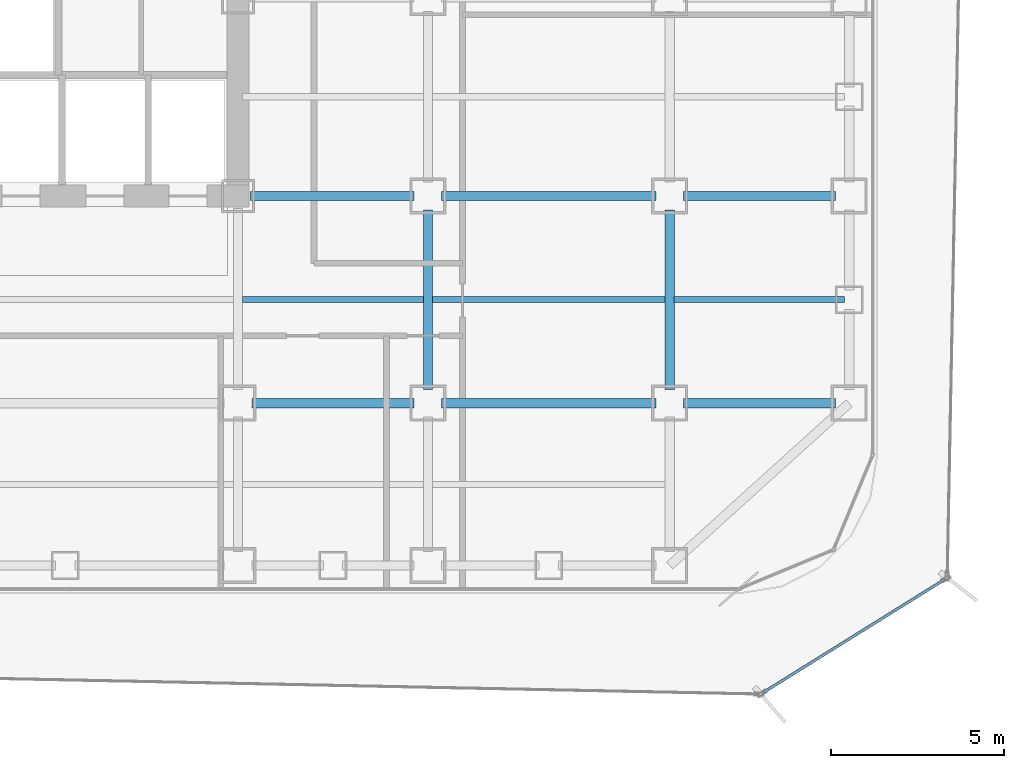
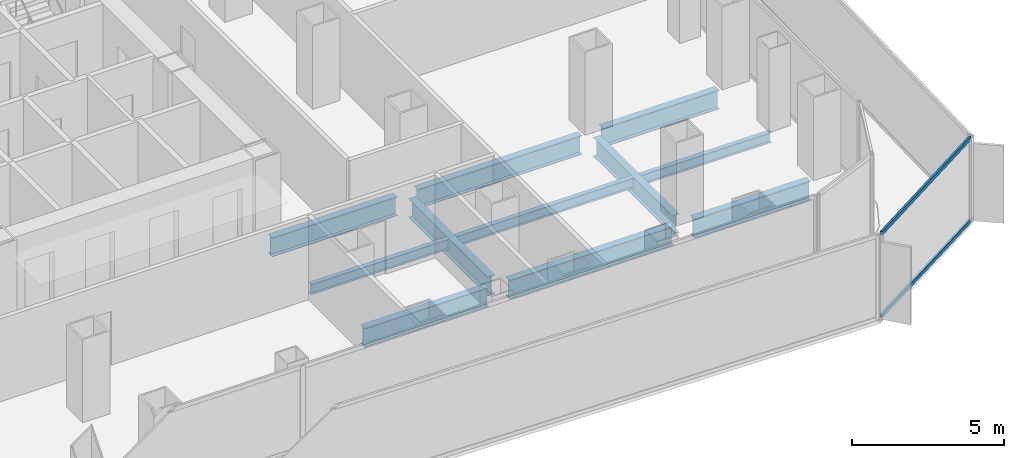
# One storey, part 7 of 21: 11 beams, 2 members, 1 element without a shape of its own.
"""IFC4 building model written with IfcOpenShell, lengths in metres."""

from ifc_helpers import new_model, si_unit, direction, frame, origin, origin_2d, place, context, subcontext, project, spatial, hollow_rectangle, i_section, extrude, source, transform, mapped, material, layer, layer_set, material_profile, profile_set, type_object, element, aggregate, save


model = new_model("IFC4")

# Units and contexts
model_context = context("Model", 3, precision=1e-05, world=origin(), true_north=direction((0.0, 1.0)))
body_context = subcontext(model_context, "Body", "Model", "MODEL_VIEW")
ifc_project = project(units=[si_unit("LENGTHUNIT", "METRE"), si_unit("AREAUNIT", "SQUARE_METRE"), si_unit("VOLUMEUNIT", "CUBIC_METRE"), si_unit("PLANEANGLEUNIT", "RADIAN"), si_unit("MASSUNIT", "GRAM", prefix="KILO")], contexts=[model_context])

# Site, building, storey
site_placement = place(None, origin())
site = spatial("IfcSite", under=ifc_project, at=site_placement, CompositionType="ELEMENT")
building_placement = place(site_placement, origin())
building = spatial("IfcBuilding", under=site, at=building_placement, Name="Kolveth Station Tower", CompositionType="ELEMENT")
storey_placement = place(building_placement, frame((0.0, 0.0, 62.10009765625)))
storey = spatial("IfcBuildingStorey", under=building, at=storey_placement, Name="L16", CompositionType="ELEMENT", Elevation=62.10009765625)

# Beams
ifc_material_1 = material(Name="Steel S355", Category="steel")
ifc_material_profile_1 = material_profile(ifc_material_1, i_section(OverallWidth=0.26708984375, OverallDepth=0.76611328125, WebThickness=0.014892578125, FlangeThickness=0.023681640625, at=origin_2d()), Name="W760x185")
ifc_profile_set_1 = profile_set([ifc_material_profile_1], Name="Steel S355")
beam_type_1 = type_object("IfcBeamType", Name="Beam_B3", PredefinedType="BEAM", material=ifc_profile_set_1)
shared_shape_1 = source(origin(), body_context, "Body", "SweptSolid", [
    extrude(i_section(OverallWidth=0.26708984375, OverallDepth=0.76611328125, WebThickness=0.014892578125, FlangeThickness=0.023681640625, at=origin_2d()), origin(), (0.0, 0.0, 1.0), 4.400146484375),
])
for number, where, z_axis, x_axis, name in (
    (1, (41.39990234375, 5.5, -0.6630859375), (1.0, 0.0, 0.0), (0.0, 1.0, 0.0), "L16 Primary Girder BM-L16-GY55-7"),
    (2, (41.39990234375, 11.5, -0.6630859375), (1.0, 0.0, 0.0), (0.0, 1.0, 0.0), "L16 Primary Girder BM-L16-GY115-7"),
):
    element("IfcBeam", number, at=place(storey_placement, frame(where, z_axis=z_axis, x_axis=x_axis)), inside=storey, type_object=beam_type_1, Name=name, PredefinedType="BEAM", context=body_context, shape_type="MappedRepresentation", body=[
        mapped(shared_shape_1, transform((0.0, 0.0, 0.0), x_axis=(1.0, 0.0, 0.0), y_axis=(0.0, 1.0, 0.0), z_axis=(0.0, 0.0, 1.0), scale=1.0)),
    ])
shared_shape_2 = source(origin(), body_context, "Body", "SweptSolid", [
    extrude(i_section(OverallWidth=0.26708984375, OverallDepth=0.76611328125, WebThickness=0.014892578125, FlangeThickness=0.023681640625, at=origin_2d()), origin(), (0.0, 0.0, 1.0), 6.2001953125),
])
for number, where, z_axis, x_axis, name in (
    (3, (34.39990234375, 5.5, -0.6630859375), (1.0, 0.0, 0.0), (0.0, 1.0, 0.0), "L16 Primary Girder BM-L16-GY55-6"),
    (4, (34.39990234375, 11.5, -0.6630859375), (1.0, 0.0, 0.0), (0.0, 1.0, 0.0), "L16 Primary Girder BM-L16-GY115-6"),
):
    element("IfcBeam", number, at=place(storey_placement, frame(where, z_axis=z_axis, x_axis=x_axis)), inside=storey, type_object=beam_type_1, Name=name, PredefinedType="BEAM", context=body_context, shape_type="MappedRepresentation", body=[
        mapped(shared_shape_2, transform((0.0, 0.0, 0.0), x_axis=(1.0, 0.0, 0.0), y_axis=(0.0, 1.0, 0.0), z_axis=(0.0, 0.0, 1.0), scale=1.0)),
    ])
shared_shape_3 = source(origin(), body_context, "Body", "SweptSolid", [
    extrude(i_section(OverallWidth=0.26708984375, OverallDepth=0.76611328125, WebThickness=0.014892578125, FlangeThickness=0.023681640625, at=origin_2d()), origin(), (0.0, 0.0, 1.0), 4.7001953125),
])
beam_1_placement = place(storey_placement, frame((28.89990234375, 5.5, -0.6630859375), z_axis=(1.0, 0.0, 0.0), x_axis=(0.0, 1.0, 0.0)))
element("IfcBeam", 5, at=beam_1_placement, inside=storey, type_object=beam_type_1, Name="L16 Primary Girder BM-L16-GY55-5", PredefinedType="BEAM", context=body_context, shape_type="MappedRepresentation", body=[
    mapped(shared_shape_3, transform((0.0, 0.0, 0.0), x_axis=(1.0, 0.0, 0.0), y_axis=(0.0, 1.0, 0.0), z_axis=(0.0, 0.0, 1.0), scale=1.0)),
])
shared_shape_4 = source(origin(), body_context, "Body", "SweptSolid", [
    extrude(i_section(OverallWidth=0.26708984375, OverallDepth=0.76611328125, WebThickness=0.014892578125, FlangeThickness=0.023681640625, at=origin_2d()), origin(), (0.0, 0.0, 1.0), 4.739990234375),
])
beam_2_placement = place(storey_placement, frame((28.860107421875, 11.5, -0.6630859375), z_axis=(1.0, 0.0, 0.0), x_axis=(0.0, 1.0, 0.0)))
element("IfcBeam", 6, at=beam_2_placement, inside=storey, type_object=beam_type_1, Name="L16 Primary Girder BM-L16-GY115-5", PredefinedType="BEAM", context=body_context, shape_type="MappedRepresentation", body=[
    mapped(shared_shape_4, transform((0.0, 0.0, 0.0), x_axis=(1.0, 0.0, 0.0), y_axis=(0.0, 1.0, 0.0), z_axis=(0.0, 0.0, 1.0), scale=1.0)),
])
shared_shape_5 = source(origin(), body_context, "Body", "SweptSolid", [
    extrude(i_section(OverallWidth=0.26708984375, OverallDepth=0.76611328125, WebThickness=0.014892578125, FlangeThickness=0.023681640625, at=origin_2d()), origin(), (0.0, 0.0, 1.0), 5.2001953125),
])
for number, where, z_axis, x_axis, name in (
    (7, (34.0, 5.89990234375, -0.6630859375), (0.0, 1.0, 0.0), (-1.0, 0.0, 0.0), "L16 Primary Girder BM-L16-GX340-2"),
    (8, (41.0, 5.89990234375, -0.6630859375), (0.0, 1.0, 0.0), (-1.0, 0.0, 0.0), "L16 Primary Girder BM-L16-GX410-2"),
):
    element("IfcBeam", number, at=place(storey_placement, frame(where, z_axis=z_axis, x_axis=x_axis)), inside=storey, type_object=beam_type_1, Name=name, PredefinedType="BEAM", context=body_context, shape_type="MappedRepresentation", body=[
        mapped(shared_shape_5, transform((0.0, 0.0, 0.0), x_axis=(1.0, 0.0, 0.0), y_axis=(0.0, 1.0, 0.0), z_axis=(0.0, 0.0, 1.0), scale=1.0)),
    ])
ifc_material_profile_2 = material_profile(ifc_material_1, i_section(OverallWidth=0.177978515625, OverallDepth=0.406982421875, WebThickness=0.0078125, FlangeThickness=0.0126953125, at=origin_2d()), Name="W410x60")
ifc_profile_set_2 = profile_set([ifc_material_profile_2], Name="Steel S355")
beam_type_2 = type_object("IfcBeamType", Name="Beam_J1", PredefinedType="JOIST", material=ifc_profile_set_2)
shared_shape_6 = source(origin(), body_context, "Body", "SweptSolid", [
    extrude(i_section(OverallWidth=0.177978515625, OverallDepth=0.406982421875, WebThickness=0.0078125, FlangeThickness=0.0126953125, at=origin_2d()), origin(), (0.0, 0.0, 1.0), 4.935791015625),
])
beam_3_placement = place(storey_placement, frame((41.131591796875, 8.5, -0.483642578125), z_axis=(1.0, 0.0, 0.0), x_axis=(0.0, 1.0, 0.0)))
element("IfcBeam", 9, at=beam_3_placement, inside=storey, type_object=beam_type_2, Name="L16 Secondary Joist JST-L16-7-2", PredefinedType="JOIST", context=body_context, shape_type="MappedRepresentation", body=[
    mapped(shared_shape_6, transform((0.0, 0.0, 0.0), x_axis=(1.0, 0.0, 0.0), y_axis=(0.0, 1.0, 0.0), z_axis=(0.0, 0.0, 1.0), scale=1.0)),
])
shared_shape_7 = source(origin(), body_context, "Body", "SweptSolid", [
    extrude(i_section(OverallWidth=0.177978515625, OverallDepth=0.406982421875, WebThickness=0.0078125, FlangeThickness=0.0126953125, at=origin_2d()), origin(), (0.0, 0.0, 1.0), 6.73681640625),
])
beam_4_placement = place(storey_placement, frame((34.131591796875, 8.5, -0.483642578125), z_axis=(1.0, 0.0, 0.0), x_axis=(0.0, 1.0, 0.0)))
element("IfcBeam", 10, at=beam_4_placement, inside=storey, type_object=beam_type_2, Name="L16 Secondary Joist JST-L16-6-2", PredefinedType="JOIST", context=body_context, shape_type="MappedRepresentation", body=[
    mapped(shared_shape_7, transform((0.0, 0.0, 0.0), x_axis=(1.0, 0.0, 0.0), y_axis=(0.0, 1.0, 0.0), z_axis=(0.0, 0.0, 1.0), scale=1.0)),
])
shared_shape_8 = source(origin(), body_context, "Body", "SweptSolid", [
    extrude(i_section(OverallWidth=0.177978515625, OverallDepth=0.406982421875, WebThickness=0.0078125, FlangeThickness=0.0126953125, at=origin_2d()), origin(), (0.0, 0.0, 1.0), 5.23681640625),
])
beam_5_placement = place(storey_placement, frame((28.631591796875, 8.5, -0.483642578125), z_axis=(1.0, 0.0, 0.0), x_axis=(0.0, 1.0, 0.0)))
element("IfcBeam", 11, at=beam_5_placement, inside=storey, type_object=beam_type_2, Name="L16 Secondary Joist JST-L16-5-2", PredefinedType="JOIST", context=body_context, shape_type="MappedRepresentation", body=[
    mapped(shared_shape_8, transform((0.0, 0.0, 0.0), x_axis=(1.0, 0.0, 0.0), y_axis=(0.0, 1.0, 0.0), z_axis=(0.0, 0.0, 1.0), scale=1.0)),
])

# Curtain wall, members
ifc_material_2 = material(Name="Black anodized aluminium 6063-T6 and dark solar glass", Category="aluminium")
ifc_layer = layer(ifc_material_2, 0.159912109375)
ifc_layer_set = layer_set([ifc_layer], Name="Black anodized aluminium 6063-T6 and dark solar glass")
curtain_wall_type = type_object("IfcCurtainWallType", Name="OUTER SKIN CW-OS", PredefinedType="NOTDEFINED", material=ifc_layer_set)
curtain_wall_placement = place(storey_placement, origin())
curtain_wall = element("IfcCurtainWall", 12, at=curtain_wall_placement, inside=storey, type_object=curtain_wall_type, Name="L16 Outer Ventilated Skin Curtain Wall 1", PredefinedType="NOTDEFINED")
ifc_material_3 = material(Name="Black anodized aluminium 6063-T6", Category="aluminium")
ifc_material_profile_3 = material_profile(ifc_material_3, hollow_rectangle(XDim=0.080078125, YDim=0.14990234375, WallThickness=0.0048828125, at=origin_2d()), Name="ALU-80x150x5")
ifc_profile_set_3 = profile_set([ifc_material_profile_3], Name="Black anodized aluminium 6063-T6")
member_type = type_object("IfcMemberType", Name="Transom_TR-OS", PredefinedType="USERDEFINED", material=ifc_profile_set_3)
shared_shape_9 = source(origin(), body_context, "Body", "SweptSolid", [
    extrude(hollow_rectangle(XDim=0.080078125, YDim=0.14990234375, WallThickness=0.0048828125, at=origin_2d()), origin(), (0.0, 0.0, 1.0), 6.188720703125),
])
member_1_placement = place(storey_placement, frame((43.7119140625, -2.878662109375, 0.039794921875), z_axis=(0.848739906373, 0.52881052498, 0.0), x_axis=(-0.52881052498, 0.848739906373, 0.0)))
member_1 = element("IfcMember", 13, at=member_1_placement, type_object=member_type, Name="CW-OS transom 1.1", ObjectType="TRANSOM", PredefinedType="USERDEFINED", context=body_context, shape_type="MappedRepresentation", body=[
    mapped(shared_shape_9, transform((0.0, 0.0, 0.0), x_axis=(1.0, 0.0, 0.0), y_axis=(0.0, 1.0, 0.0), z_axis=(0.0, 0.0, 1.0), scale=1.0)),
])
member_2_placement = place(storey_placement, frame((43.7119140625, -2.878662109375, 3.349853515625), z_axis=(0.848739906373, 0.52881052498, 0.0), x_axis=(-0.52881052498, 0.848739906373, 0.0)))
member_2 = element("IfcMember", 14, at=member_2_placement, type_object=member_type, Name="CW-OS transom 1.2", ObjectType="TRANSOM", PredefinedType="USERDEFINED", context=body_context, shape_type="MappedRepresentation", body=[
    mapped(shared_shape_9, transform((0.0, 0.0, 0.0), x_axis=(1.0, 0.0, 0.0), y_axis=(0.0, 1.0, 0.0), z_axis=(0.0, 0.0, 1.0), scale=1.0)),
])
aggregate(curtain_wall, [member_1, member_2])

save(model, "model.ifc")
